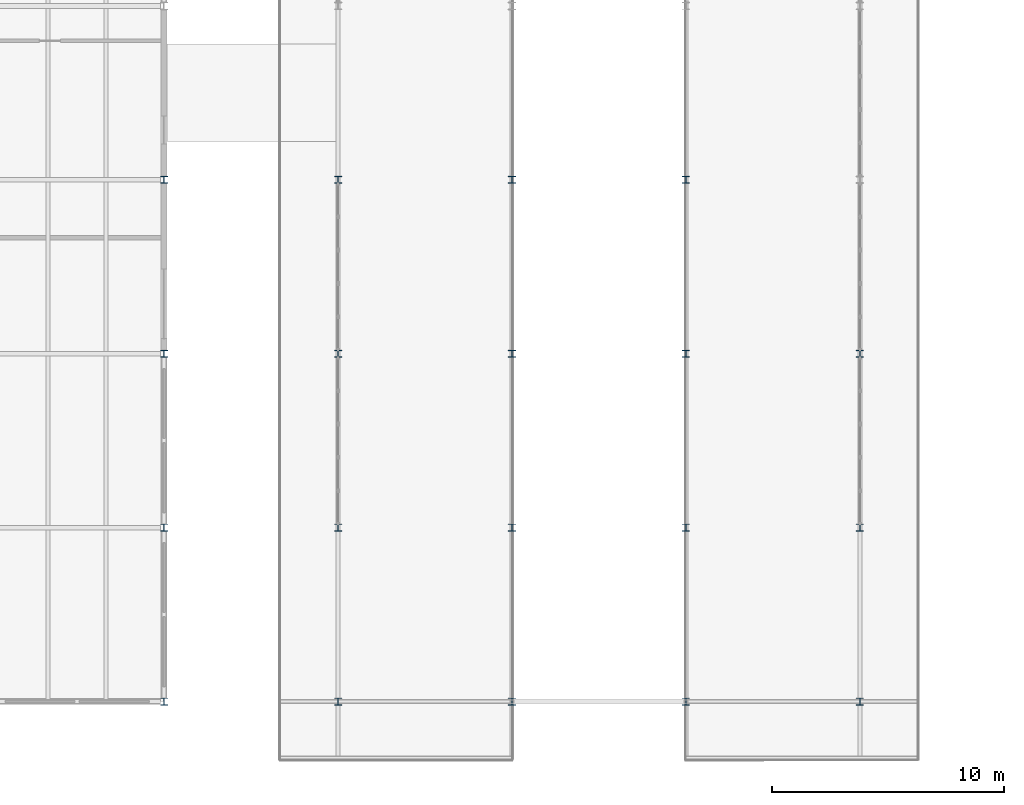
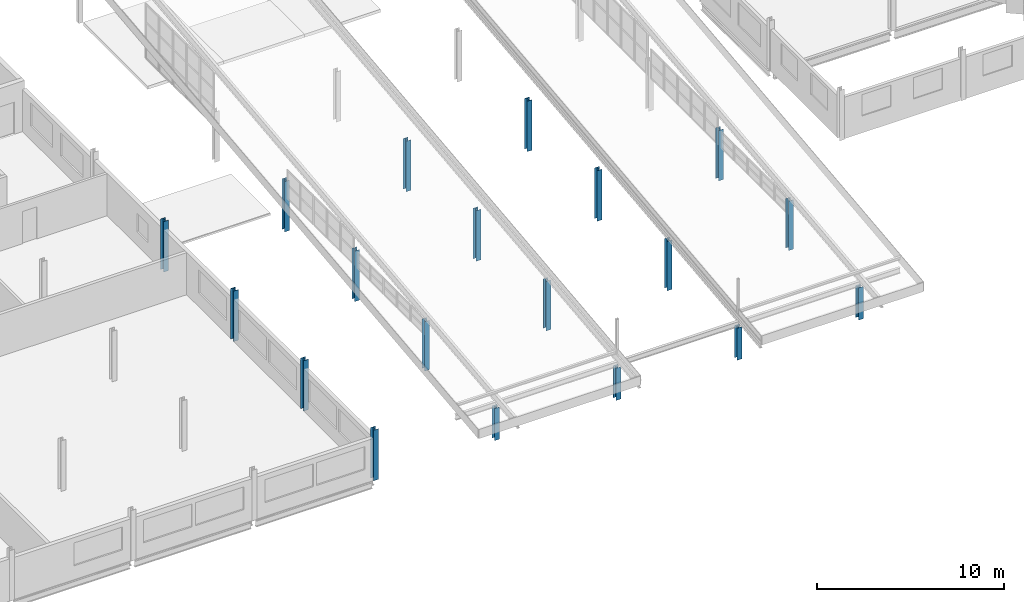
# One storey, part 13 of 199: 19 columns.
"""IFC4 building model written with IfcOpenShell, lengths in metres."""

from ifc_helpers import new_model, si_unit, direction, frame, origin, origin_2d, place, context, subcontext, project, spatial, i_section, extrude, material, material_profile, profile_set, type_object, element, save


model = new_model("IFC4")

# Units and contexts
model_context = context("Model", 3, precision=1e-05, world=origin(), true_north=direction((0.0, 1.0)))
body_context = subcontext(model_context, "Body", "Model", "MODEL_VIEW")
ifc_project = project(units=[si_unit("LENGTHUNIT", "METRE"), si_unit("AREAUNIT", "SQUARE_METRE"), si_unit("VOLUMEUNIT", "CUBIC_METRE"), si_unit("PLANEANGLEUNIT", "RADIAN"), si_unit("MASSUNIT", "GRAM", prefix="KILO")], contexts=[model_context])

# Site, building, storey
site_placement = place(None, origin())
site = spatial("IfcSite", under=ifc_project, at=site_placement, CompositionType="ELEMENT")
building_placement = place(site_placement, origin())
building = spatial("IfcBuilding", under=site, at=building_placement, Name="Parallax Yard Mobility Hub", CompositionType="ELEMENT")
storey_placement = place(building_placement, frame((0.0, 0.0, 9.89990234375)))
storey = spatial("IfcBuildingStorey", under=building, at=storey_placement, Name="L03", CompositionType="ELEMENT", Elevation=9.89990234375)

# Columns
ifc_material = material(Name="Steel ASTM A992", Category="steel")
ifc_material_profile = material_profile(ifc_material, i_section(OverallWidth=0.304931640625, OverallDepth=0.306884765625, WebThickness=0.010009765625, FlangeThickness=0.015380859375, FilletRadius=0.01513671875, at=origin_2d()), Name="W310x97")
ifc_profile_set = profile_set([ifc_material_profile], Name="Steel ASTM A992")
column_type = type_object("IfcColumnType", Name="W310x97 column", PredefinedType="COLUMN", material=ifc_profile_set)
for number, where, z_axis, x_axis, name in (
    (1, (142.5, 7.5, 0.0), (0.0, 0.0, 1.0), (1.0, 0.0, 0.0), "Column C1 level L03 at B/20 of mobility service centre and workshops"),
    (2, (142.5, 15.0, 0.0), (0.0, 0.0, 1.0), (1.0, 0.0, 0.0), "Column C1 level L03 at C/20 of mobility service centre and workshops"),
    (3, (142.5, 22.5, 0.0), (0.0, 0.0, 1.0), (1.0, 0.0, 0.0), "Column C1 level L03 at D/20 of mobility service centre and workshops"),
    (4, (142.5, 30.0, 0.0), (0.0, 0.0, 1.0), (1.0, 0.0, 0.0), "Column C1 level L03 at E/20 of mobility service centre and workshops"),
):
    element("IfcColumn", number, at=place(storey_placement, frame(where, z_axis=z_axis, x_axis=x_axis)), inside=storey, type_object=column_type, Name=name, PredefinedType="COLUMN", context=body_context, shape_type="SweptSolid", body=[
        extrude(i_section(OverallWidth=0.304931640625, OverallDepth=0.306884765625, WebThickness=0.010009765625, FlangeThickness=0.015380859375, FilletRadius=0.01513671875, at=origin_2d()), origin(), (0.0, 0.0, 1.0), 3.300048828125),
    ])
column_1_placement = place(storey_placement, frame((150.0, 7.5, 0.0), z_axis=(0.0, 0.0, 1.0), x_axis=(1.0, 0.0, 0.0)))
element("IfcColumn", 5, at=column_1_placement, inside=storey, type_object=column_type, Name="Roof column B/21 level L03", PredefinedType="COLUMN", context=body_context, shape_type="SweptSolid", body=[
    extrude(i_section(OverallWidth=0.304931640625, OverallDepth=0.306884765625, WebThickness=0.010009765625, FlangeThickness=0.015380859375, FilletRadius=0.01513671875, at=origin_2d()), origin(), (0.0, 0.0, 1.0), 2.10009765625),
])
column_2_placement = place(storey_placement, frame((150.0, 15.0, 0.0), z_axis=(0.0, 0.0, 1.0), x_axis=(1.0, 0.0, 0.0)))
element("IfcColumn", 6, at=column_2_placement, inside=storey, type_object=column_type, Name="Roof column C/21 level L03", PredefinedType="COLUMN", context=body_context, shape_type="SweptSolid", body=[
    extrude(i_section(OverallWidth=0.304931640625, OverallDepth=0.306884765625, WebThickness=0.010009765625, FlangeThickness=0.015380859375, FilletRadius=0.01513671875, at=origin_2d()), origin(), (0.0, 0.0, 1.0), 3.228515625),
])
for number, where, z_axis, x_axis, name in (
    (7, (150.0, 22.5, 0.0), (0.0, 0.0, 1.0), (1.0, 0.0, 0.0), "Roof column D/21 level L03"),
    (8, (150.0, 30.0, 0.0), (0.0, 0.0, 1.0), (1.0, 0.0, 0.0), "Roof column E/21 level L03"),
):
    element("IfcColumn", number, at=place(storey_placement, frame(where, z_axis=z_axis, x_axis=x_axis)), inside=storey, type_object=column_type, Name=name, PredefinedType="COLUMN", context=body_context, shape_type="SweptSolid", body=[
        extrude(i_section(OverallWidth=0.304931640625, OverallDepth=0.306884765625, WebThickness=0.010009765625, FlangeThickness=0.015380859375, FilletRadius=0.01513671875, at=origin_2d()), origin(), (0.0, 0.0, 1.0), 3.300048828125),
    ])
column_3_placement = place(storey_placement, frame((157.5, 7.5, 0.0), z_axis=(0.0, 0.0, 1.0), x_axis=(1.0, 0.0, 0.0)))
element("IfcColumn", 9, at=column_3_placement, inside=storey, type_object=column_type, Name="Roof column B/22 level L03", PredefinedType="COLUMN", context=body_context, shape_type="SweptSolid", body=[
    extrude(i_section(OverallWidth=0.304931640625, OverallDepth=0.306884765625, WebThickness=0.010009765625, FlangeThickness=0.015380859375, FilletRadius=0.01513671875, at=origin_2d()), origin(), (0.0, 0.0, 1.0), 2.10009765625),
])
column_4_placement = place(storey_placement, frame((157.5, 15.0, 0.0), z_axis=(0.0, 0.0, 1.0), x_axis=(1.0, 0.0, 0.0)))
element("IfcColumn", 10, at=column_4_placement, inside=storey, type_object=column_type, Name="Roof column C/22 level L03", PredefinedType="COLUMN", context=body_context, shape_type="SweptSolid", body=[
    extrude(i_section(OverallWidth=0.304931640625, OverallDepth=0.306884765625, WebThickness=0.010009765625, FlangeThickness=0.015380859375, FilletRadius=0.01513671875, at=origin_2d()), origin(), (0.0, 0.0, 1.0), 3.228515625),
])
for number, where, z_axis, x_axis, name in (
    (11, (157.5, 22.5, 0.0), (0.0, 0.0, 1.0), (1.0, 0.0, 0.0), "Roof column D/22 level L03"),
    (12, (157.5, 30.0, 0.0), (0.0, 0.0, 1.0), (1.0, 0.0, 0.0), "Roof column E/22 level L03"),
):
    element("IfcColumn", number, at=place(storey_placement, frame(where, z_axis=z_axis, x_axis=x_axis)), inside=storey, type_object=column_type, Name=name, PredefinedType="COLUMN", context=body_context, shape_type="SweptSolid", body=[
        extrude(i_section(OverallWidth=0.304931640625, OverallDepth=0.306884765625, WebThickness=0.010009765625, FlangeThickness=0.015380859375, FilletRadius=0.01513671875, at=origin_2d()), origin(), (0.0, 0.0, 1.0), 3.300048828125),
    ])
column_5_placement = place(storey_placement, frame((165.0, 7.5, 0.0), z_axis=(0.0, 0.0, 1.0), x_axis=(1.0, 0.0, 0.0)))
element("IfcColumn", 13, at=column_5_placement, inside=storey, type_object=column_type, Name="Roof column B/23 level L03", PredefinedType="COLUMN", context=body_context, shape_type="SweptSolid", body=[
    extrude(i_section(OverallWidth=0.304931640625, OverallDepth=0.306884765625, WebThickness=0.010009765625, FlangeThickness=0.015380859375, FilletRadius=0.01513671875, at=origin_2d()), origin(), (0.0, 0.0, 1.0), 2.10009765625),
])
column_6_placement = place(storey_placement, frame((165.0, 15.0, 0.0), z_axis=(0.0, 0.0, 1.0), x_axis=(1.0, 0.0, 0.0)))
element("IfcColumn", 14, at=column_6_placement, inside=storey, type_object=column_type, Name="Roof column C/23 level L03", PredefinedType="COLUMN", context=body_context, shape_type="SweptSolid", body=[
    extrude(i_section(OverallWidth=0.304931640625, OverallDepth=0.306884765625, WebThickness=0.010009765625, FlangeThickness=0.015380859375, FilletRadius=0.01513671875, at=origin_2d()), origin(), (0.0, 0.0, 1.0), 3.228515625),
])
for number, where, z_axis, x_axis, name in (
    (15, (165.0, 22.5, 0.0), (0.0, 0.0, 1.0), (1.0, 0.0, 0.0), "Roof column D/23 level L03"),
    (16, (165.0, 30.0, 0.0), (0.0, 0.0, 1.0), (1.0, 0.0, 0.0), "Roof column E/23 level L03"),
):
    element("IfcColumn", number, at=place(storey_placement, frame(where, z_axis=z_axis, x_axis=x_axis)), inside=storey, type_object=column_type, Name=name, PredefinedType="COLUMN", context=body_context, shape_type="SweptSolid", body=[
        extrude(i_section(OverallWidth=0.304931640625, OverallDepth=0.306884765625, WebThickness=0.010009765625, FlangeThickness=0.015380859375, FilletRadius=0.01513671875, at=origin_2d()), origin(), (0.0, 0.0, 1.0), 3.300048828125),
    ])
column_7_placement = place(storey_placement, frame((172.5, 7.5, 0.0), z_axis=(0.0, 0.0, 1.0), x_axis=(1.0, 0.0, 0.0)))
element("IfcColumn", 17, at=column_7_placement, inside=storey, type_object=column_type, Name="Roof column B/24 level L03", PredefinedType="COLUMN", context=body_context, shape_type="SweptSolid", body=[
    extrude(i_section(OverallWidth=0.304931640625, OverallDepth=0.306884765625, WebThickness=0.010009765625, FlangeThickness=0.015380859375, FilletRadius=0.01513671875, at=origin_2d()), origin(), (0.0, 0.0, 1.0), 2.10009765625),
])
column_8_placement = place(storey_placement, frame((172.5, 15.0, 0.0), z_axis=(0.0, 0.0, 1.0), x_axis=(1.0, 0.0, 0.0)))
element("IfcColumn", 18, at=column_8_placement, inside=storey, type_object=column_type, Name="Roof column C/24 level L03", PredefinedType="COLUMN", context=body_context, shape_type="SweptSolid", body=[
    extrude(i_section(OverallWidth=0.304931640625, OverallDepth=0.306884765625, WebThickness=0.010009765625, FlangeThickness=0.015380859375, FilletRadius=0.01513671875, at=origin_2d()), origin(), (0.0, 0.0, 1.0), 3.228515625),
])
column_9_placement = place(storey_placement, frame((172.5, 22.5, 0.0), z_axis=(0.0, 0.0, 1.0), x_axis=(1.0, 0.0, 0.0)))
element("IfcColumn", 19, at=column_9_placement, inside=storey, type_object=column_type, Name="Roof column D/24 level L03", PredefinedType="COLUMN", context=body_context, shape_type="SweptSolid", body=[
    extrude(i_section(OverallWidth=0.304931640625, OverallDepth=0.306884765625, WebThickness=0.010009765625, FlangeThickness=0.015380859375, FilletRadius=0.01513671875, at=origin_2d()), origin(), (0.0, 0.0, 1.0), 3.300048828125),
])

save(model, "model.ifc")
